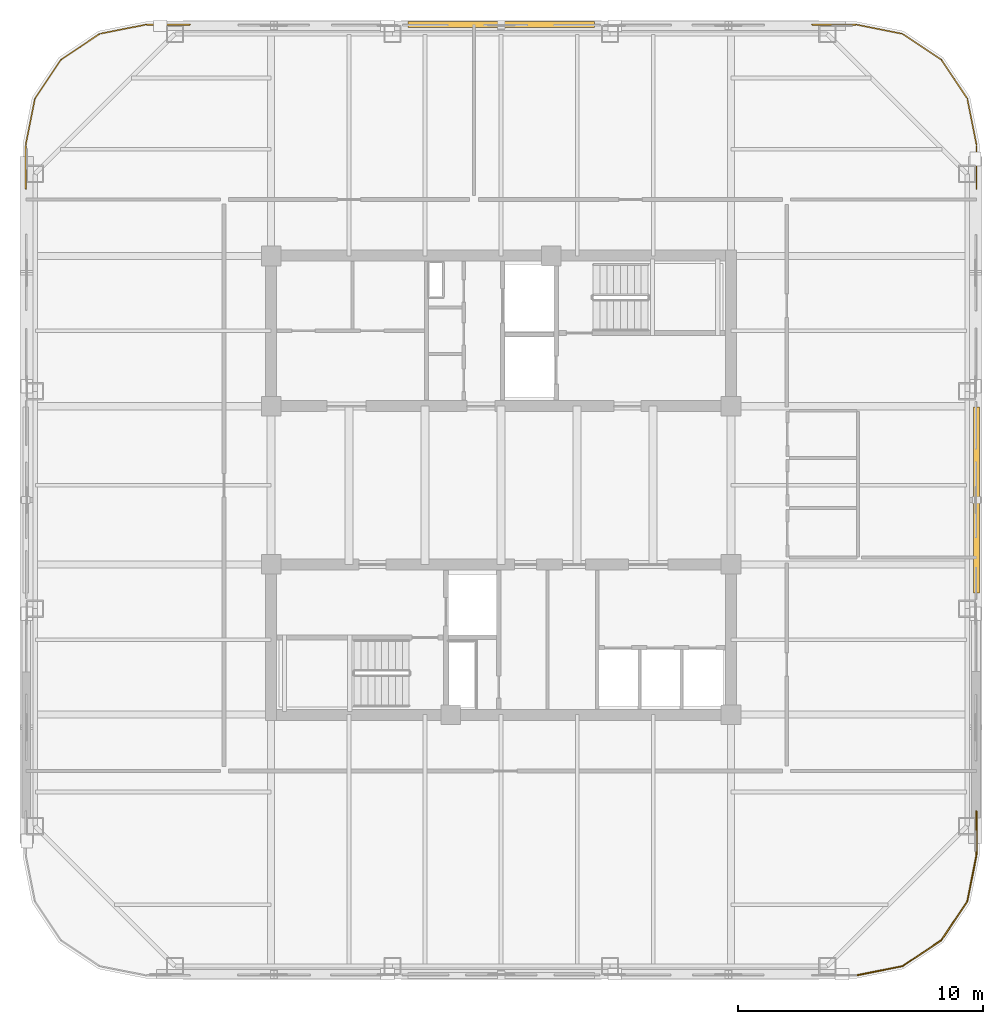
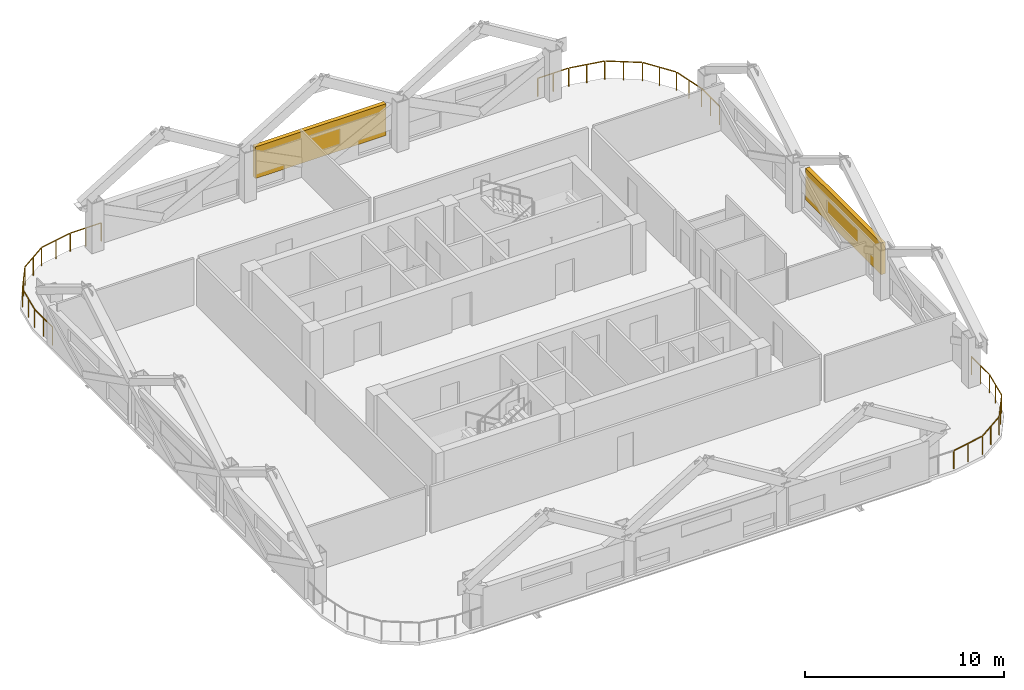
# One storey, part 9 of 9: 3 railings, 2 shading devices.
"""IFC4 building model written with IfcOpenShell, lengths in metres."""

from ifc_helpers import new_model, si_unit, direction, frame, origin, origin_2d, place, context, subcontext, project, spatial, rectangle, extrude, material, type_object, element, save


model = new_model("IFC4")

# Units and contexts
model_context = context("Model", 3, precision=1e-05, world=origin(), true_north=direction((0.0, 1.0)))
body_context = subcontext(model_context, "Body", "Model", "MODEL_VIEW")
ifc_project = project(units=[si_unit("LENGTHUNIT", "METRE"), si_unit("AREAUNIT", "SQUARE_METRE"), si_unit("VOLUMEUNIT", "CUBIC_METRE"), si_unit("PLANEANGLEUNIT", "RADIAN"), si_unit("MASSUNIT", "GRAM", prefix="KILO")], contexts=[model_context])

# Site, building, storey
site_placement = place(None, origin())
site = spatial("IfcSite", under=ifc_project, at=site_placement, CompositionType="ELEMENT")
building_placement = place(site_placement, origin())
building = spatial("IfcBuilding", under=site, at=building_placement, Name="Qhalaya Broadcast Tower", CompositionType="ELEMENT")
storey_placement = place(building_placement, frame((0.0, 0.0, 205.60009765625)))
storey = spatial("IfcBuildingStorey", under=building, at=storey_placement, Name="L60", CompositionType="ELEMENT", Elevation=205.60009765625)

# Railings
ifc_material_1 = material(Name="Powder-Coated Galvanised Steel", Category="steel")
railing_type = type_object("IfcRailingType", Name="Terrace, Sky-Pool & Lookout Glass Balustrade 1150", PredefinedType="BALUSTRADE", material=ifc_material_1)
railing_1_placement = place(storey_placement, frame((-19.3798828125, 12.681884765625, 0.0)))
element("IfcRailing", 1, at=railing_1_placement, inside=storey, type_object=railing_type, Name="L60 Rounded Corner Perimeter Guard 03", PredefinedType="BALUSTRADE", context=body_context, shape_type="SweptSolid", body=[
    extrude(rectangle(XDim=0.048095703125, YDim=0.048095703125, at=origin_2d()), frame((0.0, 0.0, 1.1259765625), z_axis=(0.0, 1.0, 0.0), x_axis=(-1.0, 0.0, 0.0)), (0.0, 0.0, 1.0), 1.777587890625),
    extrude(rectangle(XDim=0.048095703125, YDim=0.048095703125, at=origin_2d()), frame((0.005615234375, 1.834716796875, 1.1259765625), z_axis=(0.195037378397, 0.980795810058, 0.0), x_axis=(-0.980795810058, 0.195037378397, 0.0)), (0.0, 0.0, 1.0), 1.857421875),
    extrude(rectangle(XDim=0.048095703125, YDim=0.048095703125, at=origin_2d()), frame((0.3896484375, 3.708740234375, 1.1259765625), z_axis=(0.555617615188, 0.831437950597, 0.0), x_axis=(-0.831437950597, 0.555617615188, 0.0)), (0.0, 0.0, 1.0), 1.845458984375),
    extrude(rectangle(XDim=0.048095703125, YDim=0.048095703125, at=origin_2d()), frame((1.454833984375, 5.283203125, 1.1259765625), z_axis=(0.831437950597, 0.555617615188, 0.0), x_axis=(-0.555617615188, 0.831437950597, 0.0)), (0.0, 0.0, 1.0), 1.845458984375),
    extrude(rectangle(XDim=0.048095703125, YDim=0.048095703125, at=origin_2d()), frame((3.04150390625, 6.330078125, 1.1259765625), z_axis=(0.980795810058, 0.195037378397, 0.0), x_axis=(-0.195037378397, 0.980795810058, 0.0)), (0.0, 0.0, 1.0), 1.857421875),
    extrude(rectangle(XDim=0.048095703125, YDim=0.048095703125, at=origin_2d()), frame((4.92041015625, 6.697998046875, 1.1259765625), z_axis=(1.0, 0.0, 0.0), x_axis=(0.0, 1.0, 0.0)), (0.0, 0.0, 1.0), 1.777587890625),
    extrude(rectangle(XDim=0.0419921875, YDim=0.0419921875, at=origin_2d()), origin(), (0.0, 0.0, 1.0), 1.099853515625),
    extrude(rectangle(XDim=0.0419921875, YDim=0.0419921875, at=origin_2d()), frame((0.0, 0.9033203125, 0.0)), (0.0, 0.0, 1.0), 1.099853515625),
    extrude(rectangle(XDim=0.0419921875, YDim=0.0419921875, at=origin_2d()), frame((0.0, 1.806396484375, 0.0)), (0.0, 0.0, 1.0), 1.099853515625),
    extrude(rectangle(XDim=0.0419921875, YDim=0.0419921875, at=origin_2d()), frame((0.186767578125, 2.74560546875, 0.0)), (0.0, 0.0, 1.0), 1.099853515625),
    extrude(rectangle(XDim=0.0419921875, YDim=0.0419921875, at=origin_2d()), frame((0.37353515625, 3.684814453125, 0.0)), (0.0, 0.0, 1.0), 1.099853515625),
    extrude(rectangle(XDim=0.0419921875, YDim=0.0419921875, at=origin_2d()), frame((0.90234375, 4.47607421875, 0.0)), (0.0, 0.0, 1.0), 1.099853515625),
    extrude(rectangle(XDim=0.0419921875, YDim=0.0419921875, at=origin_2d()), frame((1.430908203125, 5.26708984375, 0.0)), (0.0, 0.0, 1.0), 1.099853515625),
    extrude(rectangle(XDim=0.0419921875, YDim=0.0419921875, at=origin_2d()), frame((2.22216796875, 5.7958984375, 0.0)), (0.0, 0.0, 1.0), 1.099853515625),
    extrude(rectangle(XDim=0.0419921875, YDim=0.0419921875, at=origin_2d()), frame((3.01318359375, 6.324462890625, 0.0)), (0.0, 0.0, 1.0), 1.099853515625),
    extrude(rectangle(XDim=0.0419921875, YDim=0.0419921875, at=origin_2d()), frame((3.952392578125, 6.51123046875, 0.0)), (0.0, 0.0, 1.0), 1.099853515625),
    extrude(rectangle(XDim=0.0419921875, YDim=0.0419921875, at=origin_2d()), frame((4.8916015625, 6.697998046875, 0.0)), (0.0, 0.0, 1.0), 1.099853515625),
    extrude(rectangle(XDim=0.0419921875, YDim=0.0419921875, at=origin_2d()), frame((5.794921875, 6.697998046875, 0.0)), (0.0, 0.0, 1.0), 1.099853515625),
    extrude(rectangle(XDim=0.0419921875, YDim=0.0419921875, at=origin_2d()), frame((6.697998046875, 6.697998046875, 0.0)), (0.0, 0.0, 1.0), 1.099853515625),
])
railing_2_placement = place(storey_placement, frame((12.681884765625, 19.3798828125, 0.0)))
element("IfcRailing", 2, at=railing_2_placement, inside=storey, type_object=railing_type, Name="L60 Rounded Corner Perimeter Guard 04", PredefinedType="BALUSTRADE", context=body_context, shape_type="SweptSolid", body=[
    extrude(rectangle(XDim=0.048095703125, YDim=0.048095703125, at=origin_2d()), frame((0.0, 0.0, 1.1259765625), z_axis=(1.0, 0.0, 0.0), x_axis=(0.0, 1.0, 0.0)), (0.0, 0.0, 1.0), 1.777587890625),
    extrude(rectangle(XDim=0.048095703125, YDim=0.048095703125, at=origin_2d()), frame((1.834716796875, -0.005615234375, 1.1259765625), z_axis=(0.980795810058, -0.195037378397, 0.0), x_axis=(0.195037378397, 0.980795810058, 0.0)), (0.0, 0.0, 1.0), 1.857421875),
    extrude(rectangle(XDim=0.048095703125, YDim=0.048095703125, at=origin_2d()), frame((3.708740234375, -0.3896484375, 1.1259765625), z_axis=(0.831437950597, -0.555617615188, 0.0), x_axis=(0.555617615188, 0.831437950597, 0.0)), (0.0, 0.0, 1.0), 1.845458984375),
    extrude(rectangle(XDim=0.048095703125, YDim=0.048095703125, at=origin_2d()), frame((5.283203125, -1.454833984375, 1.1259765625), z_axis=(0.555617615188, -0.831437950597, 0.0), x_axis=(0.831437950597, 0.555617615188, 0.0)), (0.0, 0.0, 1.0), 1.845458984375),
    extrude(rectangle(XDim=0.048095703125, YDim=0.048095703125, at=origin_2d()), frame((6.330078125, -3.04150390625, 1.1259765625), z_axis=(0.195037378397, -0.980795810058, 0.0), x_axis=(0.980795810058, 0.195037378397, 0.0)), (0.0, 0.0, 1.0), 1.857421875),
    extrude(rectangle(XDim=0.048095703125, YDim=0.048095703125, at=origin_2d()), frame((6.697998046875, -4.92041015625, 1.1259765625), z_axis=(0.0, -1.0, 0.0), x_axis=(1.0, 0.0, 0.0)), (0.0, 0.0, 1.0), 1.777587890625),
    extrude(rectangle(XDim=0.0419921875, YDim=0.0419921875, at=origin_2d()), origin(), (0.0, 0.0, 1.0), 1.099853515625),
    extrude(rectangle(XDim=0.0419921875, YDim=0.0419921875, at=origin_2d()), frame((0.9033203125, 0.0, 0.0)), (0.0, 0.0, 1.0), 1.099853515625),
    extrude(rectangle(XDim=0.0419921875, YDim=0.0419921875, at=origin_2d()), frame((1.806396484375, 0.0, 0.0)), (0.0, 0.0, 1.0), 1.099853515625),
    extrude(rectangle(XDim=0.0419921875, YDim=0.0419921875, at=origin_2d()), frame((2.74560546875, -0.186767578125, 0.0)), (0.0, 0.0, 1.0), 1.099853515625),
    extrude(rectangle(XDim=0.0419921875, YDim=0.0419921875, at=origin_2d()), frame((3.684814453125, -0.37353515625, 0.0)), (0.0, 0.0, 1.0), 1.099853515625),
    extrude(rectangle(XDim=0.0419921875, YDim=0.0419921875, at=origin_2d()), frame((4.47607421875, -0.90234375, 0.0)), (0.0, 0.0, 1.0), 1.099853515625),
    extrude(rectangle(XDim=0.0419921875, YDim=0.0419921875, at=origin_2d()), frame((5.26708984375, -1.430908203125, 0.0)), (0.0, 0.0, 1.0), 1.099853515625),
    extrude(rectangle(XDim=0.0419921875, YDim=0.0419921875, at=origin_2d()), frame((5.7958984375, -2.22216796875, 0.0)), (0.0, 0.0, 1.0), 1.099853515625),
    extrude(rectangle(XDim=0.0419921875, YDim=0.0419921875, at=origin_2d()), frame((6.324462890625, -3.01318359375, 0.0)), (0.0, 0.0, 1.0), 1.099853515625),
    extrude(rectangle(XDim=0.0419921875, YDim=0.0419921875, at=origin_2d()), frame((6.51123046875, -3.952392578125, 0.0)), (0.0, 0.0, 1.0), 1.099853515625),
    extrude(rectangle(XDim=0.0419921875, YDim=0.0419921875, at=origin_2d()), frame((6.697998046875, -4.8916015625, 0.0)), (0.0, 0.0, 1.0), 1.099853515625),
    extrude(rectangle(XDim=0.0419921875, YDim=0.0419921875, at=origin_2d()), frame((6.697998046875, -5.794921875, 0.0)), (0.0, 0.0, 1.0), 1.099853515625),
    extrude(rectangle(XDim=0.0419921875, YDim=0.0419921875, at=origin_2d()), frame((6.697998046875, -6.697998046875, 0.0)), (0.0, 0.0, 1.0), 1.099853515625),
])
railing_3_placement = place(storey_placement, frame((19.3798828125, -12.681884765625, 0.0)))
element("IfcRailing", 3, at=railing_3_placement, inside=storey, type_object=railing_type, Name="L60 Rounded Corner Perimeter Guard 05", PredefinedType="BALUSTRADE", context=body_context, shape_type="SweptSolid", body=[
    extrude(rectangle(XDim=0.048095703125, YDim=0.048095703125, at=origin_2d()), frame((0.0, 0.0, 1.1259765625), z_axis=(0.0, -1.0, 0.0), x_axis=(1.0, 0.0, 0.0)), (0.0, 0.0, 1.0), 1.777587890625),
    extrude(rectangle(XDim=0.048095703125, YDim=0.048095703125, at=origin_2d()), frame((-0.005615234375, -1.834716796875, 1.1259765625), z_axis=(-0.195037378397, -0.980795810058, 0.0), x_axis=(0.980795810058, -0.195037378397, 0.0)), (0.0, 0.0, 1.0), 1.857421875),
    extrude(rectangle(XDim=0.048095703125, YDim=0.048095703125, at=origin_2d()), frame((-0.3896484375, -3.708740234375, 1.1259765625), z_axis=(-0.555617615188, -0.831437950597, 0.0), x_axis=(0.831437950597, -0.555617615188, 0.0)), (0.0, 0.0, 1.0), 1.845458984375),
    extrude(rectangle(XDim=0.048095703125, YDim=0.048095703125, at=origin_2d()), frame((-1.454833984375, -5.283203125, 1.1259765625), z_axis=(-0.831437950597, -0.555617615188, 0.0), x_axis=(0.555617615188, -0.831437950597, 0.0)), (0.0, 0.0, 1.0), 1.845458984375),
    extrude(rectangle(XDim=0.048095703125, YDim=0.048095703125, at=origin_2d()), frame((-3.04150390625, -6.330078125, 1.1259765625), z_axis=(-0.980795810058, -0.195037378397, 0.0), x_axis=(0.195037378397, -0.980795810058, 0.0)), (0.0, 0.0, 1.0), 1.88623046875),
    extrude(rectangle(XDim=0.0419921875, YDim=0.0419921875, at=origin_2d()), origin(), (0.0, 0.0, 1.0), 1.099853515625),
    extrude(rectangle(XDim=0.0419921875, YDim=0.0419921875, at=origin_2d()), frame((0.0, -0.9033203125, 0.0)), (0.0, 0.0, 1.0), 1.099853515625),
    extrude(rectangle(XDim=0.0419921875, YDim=0.0419921875, at=origin_2d()), frame((0.0, -1.806396484375, 0.0)), (0.0, 0.0, 1.0), 1.099853515625),
    extrude(rectangle(XDim=0.0419921875, YDim=0.0419921875, at=origin_2d()), frame((-0.186767578125, -2.74560546875, 0.0)), (0.0, 0.0, 1.0), 1.099853515625),
    extrude(rectangle(XDim=0.0419921875, YDim=0.0419921875, at=origin_2d()), frame((-0.37353515625, -3.684814453125, 0.0)), (0.0, 0.0, 1.0), 1.099853515625),
    extrude(rectangle(XDim=0.0419921875, YDim=0.0419921875, at=origin_2d()), frame((-0.90234375, -4.47607421875, 0.0)), (0.0, 0.0, 1.0), 1.099853515625),
    extrude(rectangle(XDim=0.0419921875, YDim=0.0419921875, at=origin_2d()), frame((-1.430908203125, -5.26708984375, 0.0)), (0.0, 0.0, 1.0), 1.099853515625),
    extrude(rectangle(XDim=0.0419921875, YDim=0.0419921875, at=origin_2d()), frame((-2.22216796875, -5.7958984375, 0.0)), (0.0, 0.0, 1.0), 1.099853515625),
    extrude(rectangle(XDim=0.0419921875, YDim=0.0419921875, at=origin_2d()), frame((-3.01318359375, -6.324462890625, 0.0)), (0.0, 0.0, 1.0), 1.099853515625),
    extrude(rectangle(XDim=0.0419921875, YDim=0.0419921875, at=origin_2d()), frame((-3.952392578125, -6.51123046875, 0.0)), (0.0, 0.0, 1.0), 1.099853515625),
    extrude(rectangle(XDim=0.0419921875, YDim=0.0419921875, at=origin_2d()), frame((-4.8916015625, -6.697998046875, 0.0)), (0.0, 0.0, 1.0), 1.099853515625),
])

# Shading devices
ifc_material_2 = material(Name="Fired Architectural Terracotta", Category="masonry")
shading_device_type = type_object("IfcShadingDeviceType", Name="Terracotta Baguette Solar Screen Assembly TBS-01", PredefinedType="USERDEFINED", material=ifc_material_2)
for number, where, z_axis, x_axis, name in (
    (4, (19.3798828125, 0.0, 0.80078125), (0.0, 0.0, 1.0), (0.0, 1.0, 0.0), "L60 Fired Terracotta Baguette Screen E"),
    (5, (0.0, 19.3798828125, 0.80078125), (0.0, 0.0, 1.0), (-1.0, 0.0, 0.0), "L60 Fired Terracotta Baguette Screen N"),
):
    element("IfcShadingDevice", number, at=place(storey_placement, frame(where, z_axis=z_axis, x_axis=x_axis)), inside=storey, type_object=shading_device_type, Name=name, ObjectType="BAGUETTE", PredefinedType="USERDEFINED", context=body_context, shape_type="SweptSolid", body=[
        extrude(rectangle(XDim=7.60009765625, YDim=0.239990234375, at=origin_2d()), origin(), (0.0, 0.0, 1.0), 1.945068359375),
    ])

save(model, "model.ifc")
